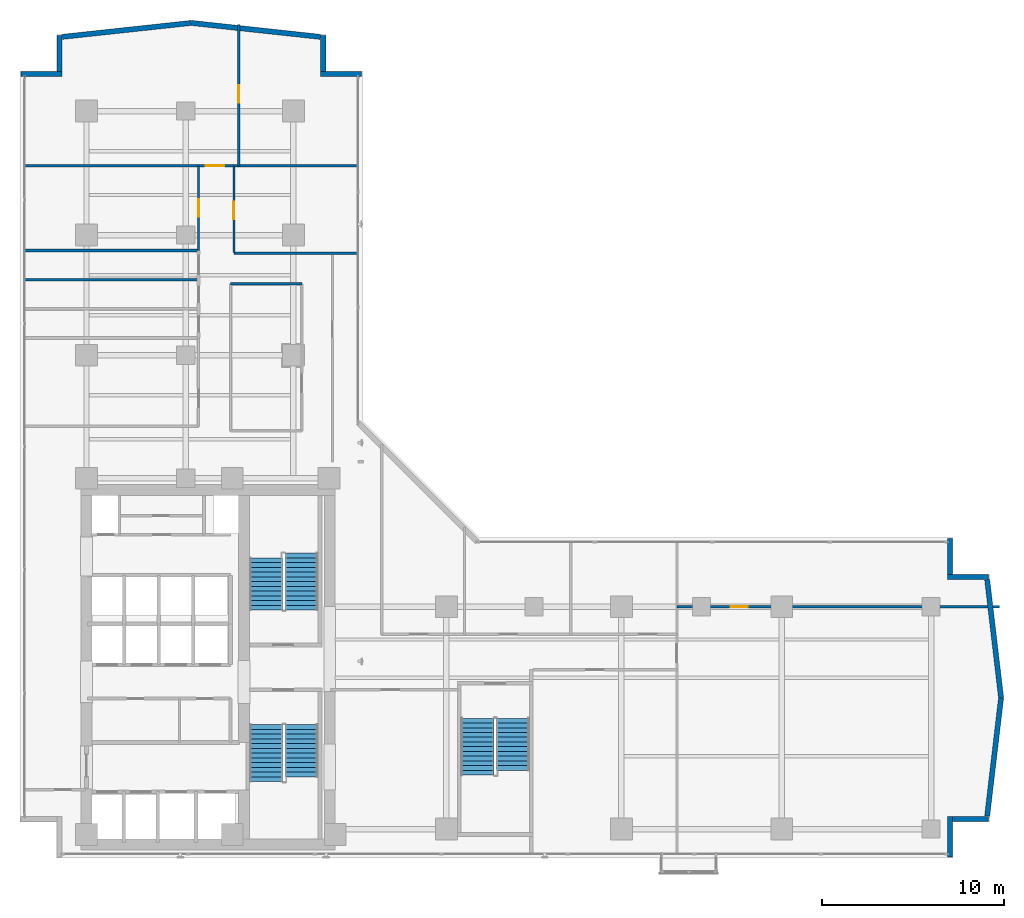
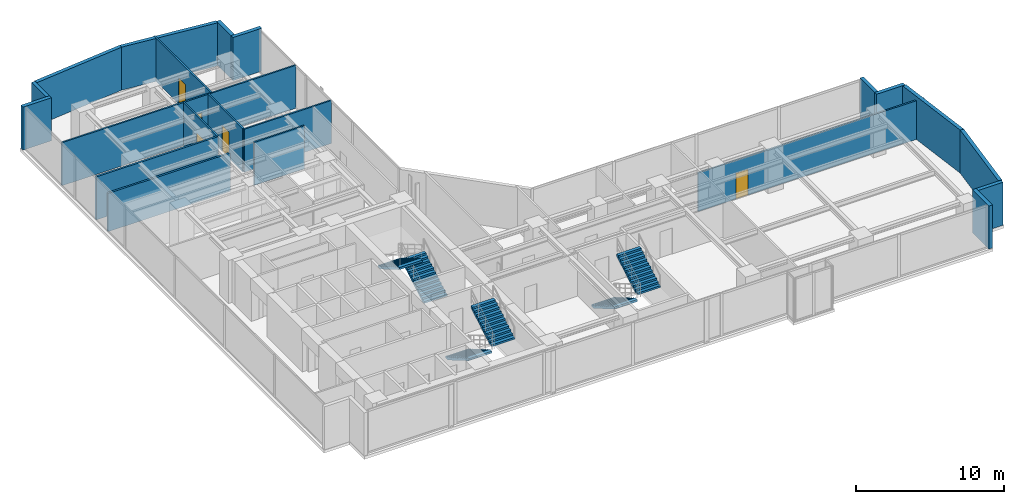
# One storey, part 21 of 26: 21 walls, 6 stair flights, 5 doors, 5 openings, 3 elements without a shape of their own.
"""IFC4 building model written with IfcOpenShell, lengths in metres."""

from ifc_helpers import new_model, si_unit, direction, frame, frame_2d, origin, place, context, subcontext, project, spatial, polyline, rectangle, outline, extrude, material, layer, layer_set, type_object, element, fill, aggregate, save


model = new_model("IFC4")

# Units and contexts
model_context = context("Model", 3, precision=1e-05, world=origin(), true_north=direction((0.0, 1.0)))
body_context = subcontext(model_context, "Body", "Model", "MODEL_VIEW")
ifc_project = project(units=[si_unit("LENGTHUNIT", "METRE"), si_unit("AREAUNIT", "SQUARE_METRE"), si_unit("VOLUMEUNIT", "CUBIC_METRE"), si_unit("PLANEANGLEUNIT", "RADIAN"), si_unit("MASSUNIT", "GRAM", prefix="KILO")], contexts=[model_context])

# Site, building, storey
site_placement = place(None, origin())
site = spatial("IfcSite", under=ifc_project, at=site_placement, CompositionType="ELEMENT")
building_placement = place(site_placement, origin())
building = spatial("IfcBuilding", under=site, at=building_placement, Name="Kolvaren Waterfront Exchange", CompositionType="ELEMENT")
storey_placement = place(building_placement, frame((0.0, 0.0, 150.0)))
storey = spatial("IfcBuildingStorey", under=building, at=storey_placement, Name="L38", CompositionType="ELEMENT", Elevation=150.0)

# Walls
ifc_material_1 = material(Name="Precast concrete C40/50", Category="concrete")
ifc_layer_1 = layer(ifc_material_1, 0.280029296875, Name="Precast concrete C40/50")
ifc_layer_set_1 = layer_set([ifc_layer_1], Name="Precast concrete C40/50")
wall_type_1 = type_object("IfcWallType", Name="ARC-EXT-TERR-280", PredefinedType="SOLIDWALL", material=ifc_layer_set_1)
wall_1_placement = place(storey_placement, frame((54.840087890625, 3.659912109375, 0.0), z_axis=(0.0, 0.0, 1.0), x_axis=(0.0, 1.0, 0.0)))
element("IfcWall", 1, at=wall_1_placement, inside=storey, type_object=wall_type_1, Name="L38 notched corner spandrel pier SE-A", PredefinedType="SOLIDWALL", context=body_context, shape_type="SweptSolid", body=[
    extrude(rectangle(XDim=2.239990234375, YDim=0.280029296875, at=frame_2d((1.1201171875, 0.0))), origin(), (0.0, 0.0, 1.0), 3.56005859375),
])
wall_2_placement = place(storey_placement, frame((54.97998046875, 5.760009765625, 0.0), z_axis=(0.0, 0.0, 1.0), x_axis=(1.0, 0.0, 0.0)))
element("IfcWall", 2, at=wall_2_placement, inside=storey, type_object=wall_type_1, Name="L38 notched corner spandrel pier SE-B", PredefinedType="SOLIDWALL", context=body_context, shape_type="SweptSolid", body=[
    extrude(rectangle(XDim=1.9599609375, YDim=0.280029296875, at=frame_2d((0.97998046875, 0.0))), origin(), (0.0, 0.0, 1.0), 3.56005859375),
])
wall_3_placement = place(storey_placement, frame((54.840087890625, 19.1650390625, 0.0), z_axis=(0.0, 0.0, 1.0), x_axis=(0.0, 1.0, 0.0)))
element("IfcWall", 3, at=wall_3_placement, inside=storey, type_object=wall_type_1, Name="L38 notched corner spandrel pier ENE-A", PredefinedType="SOLIDWALL", context=body_context, shape_type="SweptSolid", body=[
    extrude(rectangle(XDim=1.974853515625, YDim=0.280029296875, at=frame_2d((0.9873046875, 0.0))), origin(), (0.0, 0.0, 1.0), 3.56005859375),
])
for number, where, z_axis, x_axis, name in (
    (4, (54.699951171875, 19.0400390625, 0.0), (0.0, 0.0, 1.0), (1.0, 0.0, 0.0), "L38 notched corner spandrel pier ENE-B"),
    (5, (20.300048828125, 46.639892578125, 0.0), (0.0, 0.0, 1.0), (1.0, 0.0, 0.0), "L38 notched corner spandrel pier NNE-A"),
):
    element("IfcWall", number, at=place(storey_placement, frame(where, z_axis=z_axis, x_axis=x_axis)), inside=storey, type_object=wall_type_1, Name=name, PredefinedType="SOLIDWALL", context=body_context, shape_type="SweptSolid", body=[
        extrude(rectangle(XDim=2.239990234375, YDim=0.280029296875, at=frame_2d((1.1201171875, 0.0))), origin(), (0.0, 0.0, 1.0), 3.56005859375),
    ])
wall_4_placement = place(storey_placement, frame((20.43994140625, 46.780029296875, 0.0), z_axis=(0.0, 0.0, 1.0), x_axis=(0.0, 1.0, 0.0)))
element("IfcWall", 6, at=wall_4_placement, inside=storey, type_object=wall_type_1, Name="L38 notched corner spandrel pier NNE-B", PredefinedType="SOLIDWALL", context=body_context, shape_type="SweptSolid", body=[
    extrude(rectangle(XDim=1.9599609375, YDim=0.280029296875, at=frame_2d((0.97998046875, 0.0))), origin(), (0.0, 0.0, 1.0), 3.56005859375),
])
wall_5_placement = place(storey_placement, frame((3.860107421875, 46.639892578125, 0.0), z_axis=(0.0, 0.0, 1.0), x_axis=(1.0, 0.0, 0.0)))
element("IfcWall", 7, at=wall_5_placement, inside=storey, type_object=wall_type_1, Name="L38 notched corner spandrel pier NW-A", PredefinedType="SOLIDWALL", context=body_context, shape_type="SweptSolid", body=[
    extrude(rectangle(XDim=2.239990234375, YDim=0.280029296875, at=frame_2d((1.1201171875, 0.0))), origin(), (0.0, 0.0, 1.0), 3.56005859375),
])
wall_6_placement = place(storey_placement, frame((5.9599609375, 46.780029296875, 0.0), z_axis=(0.0, 0.0, 1.0), x_axis=(0.0, 1.0, 0.0)))
element("IfcWall", 8, at=wall_6_placement, inside=storey, type_object=wall_type_1, Name="L38 notched corner spandrel pier NW-B", PredefinedType="SOLIDWALL", context=body_context, shape_type="SweptSolid", body=[
    extrude(rectangle(XDim=1.9599609375, YDim=0.280029296875, at=frame_2d((0.97998046875, 0.0))), origin(), (0.0, 0.0, 1.0), 3.56005859375),
])
for number, where, z_axis, x_axis, name in (
    (9, (56.876220703125, 5.91650390625, 0.0), (0.0, 0.0, 1.0), (0.11685426921, 0.993149072278, 0.0), "L38 east prow faceted facade wall 1"),
    (10, (57.638916015625, 12.401123046875, 0.0), (0.0, 0.0, 1.0), (-0.11685426921, 0.993149072278, 0.0), "L38 east prow faceted facade wall 2"),
):
    element("IfcWall", number, at=place(storey_placement, frame(where, z_axis=z_axis, x_axis=x_axis)), inside=storey, type_object=wall_type_1, Name=name, PredefinedType="SOLIDWALL", context=body_context, shape_type="SweptSolid", body=[
        extrude(rectangle(XDim=6.52685546875, YDim=0.280029296875, at=frame_2d((3.263427734375, 0.0))), origin(), (0.0, 0.0, 1.0), 3.56005859375),
    ])
for number, where, z_axis, x_axis, name in (
    (11, (20.284423828125, 48.673095703125, 0.0), (0.0, 0.0, 1.0), (-0.994206651606, 0.107485505548, 0.0), "L38 north prow faceted facade wall 1"),
    (12, (13.197265625, 49.438720703125, 0.0), (0.0, 0.0, 1.0), (-0.994206651606, -0.107485505548, 0.0), "L38 north prow faceted facade wall 2"),
):
    element("IfcWall", number, at=place(storey_placement, frame(where, z_axis=z_axis, x_axis=x_axis)), inside=storey, type_object=wall_type_1, Name=name, PredefinedType="SOLIDWALL", context=body_context, shape_type="SweptSolid", body=[
        extrude(rectangle(XDim=7.123046875, YDim=0.280029296875, at=frame_2d((3.5615234375, 0.0))), origin(), (0.0, 0.0, 1.0), 3.56005859375),
    ])
ifc_material_2 = material(Name="Acoustic gypsum steel stud", Category="steel")
ifc_layer_2 = layer(ifc_material_2, 0.125, Name="Acoustic gypsum steel stud")
ifc_layer_set_2 = layer_set([ifc_layer_2], Name="Acoustic gypsum steel stud")
wall_type_2 = type_object("IfcWallType", Name="ARC-PART-125", PredefinedType="PARTITIONING", material=ifc_layer_set_2)
wall_7_placement = place(storey_placement, frame((15.35009765625, 35.1201171875, 0.0), z_axis=(0.0, 0.0, 1.0), x_axis=(1.0, 0.0, 0.0)))
element("IfcWall", 13, at=wall_7_placement, inside=storey, type_object=wall_type_2, Name="L38 interior wall PW-L38-ISL-N", PredefinedType="PARTITIONING", context=body_context, shape_type="SweptSolid", body=[
    extrude(rectangle(XDim=3.919921875, YDim=0.125, at=frame_2d((1.9599609375, 0.0))), origin(), (0.0, 0.0, 1.0), 3.56005859375),
])
wall_8_placement = place(storey_placement, frame((15.5400390625, 36.800048828125, 0.0), z_axis=(0.0, 0.0, 1.0), x_axis=(1.0, 0.0, 0.0)))
element("IfcWall", 14, at=wall_8_placement, inside=storey, type_object=wall_type_2, Name="L38 interior wall PW-L38-RFLANK-N", PredefinedType="PARTITIONING", context=body_context, shape_type="SweptSolid", body=[
    extrude(rectangle(XDim=6.820068359375, YDim=0.125, at=frame_2d((3.41015625, 0.0))), origin(), (0.0, 0.0, 1.0), 3.56005859375),
])

# Wall, opening, door
wall_9_placement = place(storey_placement, frame((39.85009765625, 17.39990234375, 0.0), z_axis=(0.0, 0.0, 1.0), x_axis=(1.0, 0.0, 0.0)))
wall_9 = element("IfcWall", 15, at=wall_9_placement, inside=storey, type_object=wall_type_2, Name="L38 interior wall PW-L38-ETIP-MID", PredefinedType="PARTITIONING", context=body_context, shape_type="SweptSolid", body=[
    extrude(rectangle(XDim=17.7099609375, YDim=0.125, at=frame_2d((8.85498046875, 0.0))), origin(), (0.0, 0.0, 1.0), 3.199951171875),
])
opening_1_placement = place(wall_9_placement, frame((2.949951171875, 0.0, 0.0)))
opening_1 = element("IfcOpeningElement", 16, at=opening_1_placement, cuts=wall_9, Name="Opening D02", PredefinedType="OPENING", context=body_context, shape_type="SweptSolid", body=[
    extrude(rectangle(XDim=0.949951171875, YDim=2.14990234375, at=frame_2d((0.47509765625, 1.074951171875))), frame((0.0, 0.072509765625, 0.0), z_axis=(0.0, -1.0, 0.0), x_axis=(1.0, 0.0, 0.0)), (0.0, 0.0, 1.0), 0.14501953125),
])
ifc_material_3 = material(Name="Oak veneer acoustic timber", Category="wood")
door_type_1 = type_object("IfcDoorType", Name="ARC-DR-950", OperationType="NOTDEFINED", PredefinedType="DOOR", material=ifc_material_3)
door_1_placement = place(opening_1_placement, origin())
door_1 = element("IfcDoor", 17, at=door_1_placement, inside=storey, type_object=door_type_1, Name="L38 door DR-L38-ETIP2-D (D02)", OperationType="SINGLE_SWING_LEFT", OverallHeight=2.14990234375, OverallWidth=0.949951171875, PredefinedType="DOOR", context=body_context, shape_type="SweptSolid", body=[
    extrude(rectangle(XDim=0.949951171875, YDim=2.14990234375, at=frame_2d((0.47509765625, 1.074951171875))), frame((0.0, 0.02490234375, 0.0), z_axis=(0.0, -1.0, 0.0), x_axis=(1.0, 0.0, 0.0)), (0.0, 0.0, 1.0), 0.050048828125),
])
fill(opening_1, door_1)

wall_10_placement = place(storey_placement, frame((13.60009765625, 36.949951171875, 0.0), z_axis=(0.0, 0.0, 1.0), x_axis=(0.0, 1.0, 0.0)))
wall_10 = element("IfcWall", 18, at=wall_10_placement, inside=storey, type_object=wall_type_2, Name="L38 interior wall PW-L38-NW-CORR", PredefinedType="PARTITIONING", context=body_context, shape_type="SweptSolid", body=[
    extrude(rectangle(XDim=4.650146484375, YDim=0.125, at=frame_2d((2.3251953125, 0.0))), origin(), (0.0, 0.0, 1.0), 3.56005859375),
])
opening_2_placement = place(wall_10_placement, frame((1.85009765625, 0.0, 0.0)))
opening_2 = element("IfcOpeningElement", 19, at=opening_2_placement, cuts=wall_10, Name="Opening D02", PredefinedType="OPENING", context=body_context, shape_type="SweptSolid", body=[
    extrude(rectangle(XDim=0.949951171875, YDim=2.14990234375, at=frame_2d((0.47509765625, 1.074951171875))), frame((0.0, 0.072509765625, 0.0), z_axis=(0.0, -1.0, 0.0), x_axis=(1.0, 0.0, 0.0)), (0.0, 0.0, 1.0), 0.14501953125),
])
door_2_placement = place(opening_2_placement, origin())
door_2 = element("IfcDoor", 20, at=door_2_placement, inside=storey, type_object=door_type_1, Name="L38 door DR-L38-NW-D-1 (D02)", OperationType="SINGLE_SWING_LEFT", OverallHeight=2.14990234375, OverallWidth=0.949951171875, PredefinedType="DOOR", context=body_context, shape_type="SweptSolid", body=[
    extrude(rectangle(XDim=0.949951171875, YDim=2.14990234375, at=frame_2d((0.47509765625, 1.074951171875))), frame((0.0, 0.02490234375, 0.0), z_axis=(0.0, -1.0, 0.0), x_axis=(1.0, 0.0, 0.0)), (0.0, 0.0, 1.0), 0.050048828125),
])
fill(opening_2, door_2)

wall_11_placement = place(storey_placement, frame((4.0400390625, 41.60009765625, 0.0), z_axis=(0.0, 0.0, 1.0), x_axis=(1.0, 0.0, 0.0)))
wall_11 = element("IfcWall", 21, at=wall_11_placement, inside=storey, type_object=wall_type_2, Name="L38 interior wall PW-L38-NTIP-S", PredefinedType="PARTITIONING", context=body_context, shape_type="SweptSolid", body=[
    extrude(rectangle(XDim=18.320068359375, YDim=0.125, at=frame_2d((9.16015625, 0.0))), origin(), (0.0, 0.0, 1.0), 3.56005859375),
])
opening_3_placement = place(wall_11_placement, frame((9.9599609375, 0.0, 0.0)))
opening_3 = element("IfcOpeningElement", 22, at=opening_3_placement, cuts=wall_11, Name="Opening D03", PredefinedType="OPENING", context=body_context, shape_type="SweptSolid", body=[
    extrude(rectangle(XDim=1.0, YDim=2.199951171875, at=frame_2d((0.5, 1.10009765625))), frame((0.0, 0.072509765625, 0.0), z_axis=(0.0, -1.0, 0.0), x_axis=(1.0, 0.0, 0.0)), (0.0, 0.0, 1.0), 0.14501953125),
])
ifc_material_4 = material(Name="Oak veneer accessible timber", Category="wood")
door_type_2 = type_object("IfcDoorType", Name="ARC-DR-1000", OperationType="NOTDEFINED", PredefinedType="DOOR", material=ifc_material_4)
door_3_placement = place(opening_3_placement, origin())
door_3 = element("IfcDoor", 23, at=door_3_placement, inside=storey, type_object=door_type_2, Name="L38 door DR-L38-NTIPW-D (D03)", OperationType="SINGLE_SWING_RIGHT", OverallHeight=2.199951171875, OverallWidth=1.0, PredefinedType="DOOR", context=body_context, shape_type="SweptSolid", body=[
    extrude(rectangle(XDim=1.0, YDim=2.199951171875, at=frame_2d((0.5, 1.10009765625))), frame((0.0, 0.02490234375, 0.0), z_axis=(0.0, -1.0, 0.0), x_axis=(1.0, 0.0, 0.0)), (0.0, 0.0, 1.0), 0.050048828125),
])
fill(opening_3, door_3)

wall_12_placement = place(storey_placement, frame((15.800048828125, 41.60009765625, 0.0), z_axis=(0.0, 0.0, 1.0), x_axis=(0.0, 1.0, 0.0)))
wall_12 = element("IfcWall", 24, at=wall_12_placement, inside=storey, type_object=wall_type_2, Name="L38 interior wall PW-L38-NTIP-DIV", PredefinedType="PARTITIONING", context=body_context, shape_type="SweptSolid", body=[
    extrude(rectangle(XDim=7.760009765625, YDim=0.125, at=frame_2d((3.8798828125, 0.0))), origin(), (0.0, 0.0, 1.0), 3.56005859375),
])
opening_4_placement = place(wall_12_placement, frame((3.470458984375, 0.0, 0.0)))
opening_4 = element("IfcOpeningElement", 25, at=opening_4_placement, cuts=wall_12, Name="Opening D02", PredefinedType="OPENING", context=body_context, shape_type="SweptSolid", body=[
    extrude(rectangle(XDim=0.949951171875, YDim=2.14990234375, at=frame_2d((0.47509765625, 1.074951171875))), frame((0.0, 0.072509765625, 0.0), z_axis=(0.0, -1.0, 0.0), x_axis=(1.0, 0.0, 0.0)), (0.0, 0.0, 1.0), 0.14501953125),
])
door_4_placement = place(opening_4_placement, origin())
door_4 = element("IfcDoor", 26, at=door_4_placement, inside=storey, type_object=door_type_1, Name="L38 door DR-L38-NTIPE-D (D02)", OperationType="SINGLE_SWING_LEFT", OverallHeight=2.14990234375, OverallWidth=0.949951171875, PredefinedType="DOOR", context=body_context, shape_type="SweptSolid", body=[
    extrude(rectangle(XDim=0.949951171875, YDim=2.14990234375, at=frame_2d((0.47509765625, 1.074951171875))), frame((0.0, 0.02490234375, 0.0), z_axis=(0.0, -1.0, 0.0), x_axis=(1.0, 0.0, 0.0)), (0.0, 0.0, 1.0), 0.050048828125),
])
fill(opening_4, door_4)

wall_13_placement = place(storey_placement, frame((15.5400390625, 36.85009765625, 0.0), z_axis=(0.0, 0.0, 1.0), x_axis=(0.0, 1.0, 0.0)))
wall_13 = element("IfcWall", 27, at=wall_13_placement, inside=storey, type_object=wall_type_2, Name="L38 interior wall PW-L38-NE-CORR", PredefinedType="PARTITIONING", context=body_context, shape_type="SweptSolid", body=[
    extrude(rectangle(XDim=4.75, YDim=0.125, at=frame_2d((2.375, 0.0))), origin(), (0.0, 0.0, 1.0), 3.56005859375),
])
opening_5_placement = place(wall_13_placement, frame((1.82861328125, 0.0, 0.0)))
opening_5 = element("IfcOpeningElement", 28, at=opening_5_placement, cuts=wall_13, Name="Opening D02", PredefinedType="OPENING", context=body_context, shape_type="SweptSolid", body=[
    extrude(rectangle(XDim=0.949951171875, YDim=2.14990234375, at=frame_2d((0.47509765625, 1.074951171875))), frame((0.0, 0.072509765625, 0.0), z_axis=(0.0, -1.0, 0.0), x_axis=(1.0, 0.0, 0.0)), (0.0, 0.0, 1.0), 0.14501953125),
])
door_5_placement = place(opening_5_placement, origin())
door_5 = element("IfcDoor", 29, at=door_5_placement, inside=storey, type_object=door_type_1, Name="L38 door DR-L38-NE-D-1 (D02)", OperationType="SINGLE_SWING_RIGHT", OverallHeight=2.14990234375, OverallWidth=0.949951171875, PredefinedType="DOOR", context=body_context, shape_type="SweptSolid", body=[
    extrude(rectangle(XDim=0.949951171875, YDim=2.14990234375, at=frame_2d((0.47509765625, 1.074951171875))), frame((0.0, 0.02490234375, 0.0), z_axis=(0.0, -1.0, 0.0), x_axis=(1.0, 0.0, 0.0)), (0.0, 0.0, 1.0), 0.050048828125),
])
fill(opening_5, door_5)

# Walls
ifc_material_5 = material(Name="Moisture-resistant gypsum stud")
ifc_layer_3 = layer(ifc_material_5, 0.14990234375, Name="Moisture-resistant gypsum stud")
ifc_layer_set_3 = layer_set([ifc_layer_3], Name="Moisture-resistant gypsum stud")
wall_type_3 = type_object("IfcWallType", Name="ARC-PLUMB-150", PredefinedType="PLUMBINGWALL", material=ifc_layer_set_3)
wall_14_placement = place(storey_placement, frame((4.0400390625, 35.35009765625, 0.0), z_axis=(0.0, 0.0, 1.0), x_axis=(1.0, 0.0, 0.0)))
element("IfcWall", 30, at=wall_14_placement, inside=storey, type_object=wall_type_3, Name="L38 interior wall PW-L38-WC-2", PredefinedType="PLUMBINGWALL", context=body_context, shape_type="SweptSolid", body=[
    extrude(rectangle(XDim=9.56005859375, YDim=0.14990234375, at=frame_2d((4.780029296875, 0.0))), origin(), (0.0, 0.0, 1.0), 3.159912109375),
])
wall_15_placement = place(storey_placement, frame((4.0400390625, 36.949951171875, 0.0), z_axis=(0.0, 0.0, 1.0), x_axis=(1.0, 0.0, 0.0)))
element("IfcWall", 31, at=wall_15_placement, inside=storey, type_object=wall_type_3, Name="L38 interior wall PW-L38-WC-3", PredefinedType="PLUMBINGWALL", context=body_context, shape_type="SweptSolid", body=[
    extrude(rectangle(XDim=9.56005859375, YDim=0.14990234375, at=frame_2d((4.780029296875, 0.0))), origin(), (0.0, 0.0, 1.0), 3.56005859375),
])

# Stair, stair flights
ifc_material_6 = material(Name="Concrete C40/50", Category="concrete")
stair_type = type_object("IfcStairType", Name="ARC-STAIR-3800", PredefinedType="HALF_TURN_STAIR", material=ifc_material_6)
stair_1_placement = place(storey_placement, origin())
stair_1 = element("IfcStair", 32, at=stair_1_placement, inside=storey, type_object=stair_type, Name="L38 Smoke-proof exit stair ST1", PredefinedType="HALF_TURN_STAIR")
stair_flight_type = type_object("IfcStairFlightType", Name="ARC-FLIGHT-3800", PredefinedType="STRAIGHT", material=ifc_material_6)
stair_flight_1_placement = place(storey_placement, frame((17.300048828125, 10.929931640625, 0.0), z_axis=(0.0, 0.0, 1.0), x_axis=(0.0, -1.0, 0.0)))
stair_flight_1 = element("IfcStairFlight", 33, at=stair_flight_1_placement, type_object=stair_flight_type, Name="ST1 flight 1", NumberOfRisers=13, NumberOfTreads=12, PredefinedType="STRAIGHT", RiserHeight=0.152, TreadLength=0.26, context=body_context, shape_type="SweptSolid", body=[
    extrude(outline(polyline([(0.0, 0.0), (0.0, 0.152099609375), (0.260009765625, 0.152099609375), (0.260009765625, 0.303955078125), (0.52001953125, 0.303955078125), (0.52001953125, 0.4560546875), (0.780029296875, 0.4560546875), (0.780029296875, 0.60791015625), (1.0400390625, 0.60791015625), (1.0400390625, 0.760009765625), (1.300048828125, 0.760009765625), (1.300048828125, 0.912109375), (1.56005859375, 0.912109375), (1.56005859375, 1.06396484375), (1.820068359375, 1.06396484375), (1.820068359375, 1.216064453125), (2.080078125, 1.216064453125), (2.080078125, 1.367919921875), (2.340087890625, 1.367919921875), (2.340087890625, 1.52001953125), (2.60009765625, 1.52001953125), (2.60009765625, 1.672119140625), (2.860107421875, 1.672119140625), (2.860107421875, 1.823974609375), (3.1201171875, 1.823974609375), (3.1201171875, 1.97607421875), (3.1201171875, 1.650390625), (0.297119140625, 0.0), (0.0, 0.0)])), frame((0.0, 0.89990234375, 0.0), z_axis=(0.0, -1.0, 0.0), x_axis=(1.0, 0.0, 0.0)), (0.0, 0.0, 1.0), 1.800048828125),
])
stair_flight_2_placement = place(storey_placement, frame((19.260009765625, 8.070068359375, 1.97607421875), z_axis=(0.0, 0.0, 1.0), x_axis=(0.0, 1.0, 0.0)))
stair_flight_2 = element("IfcStairFlight", 34, at=stair_flight_2_placement, type_object=stair_flight_type, Name="ST1 flight 2", NumberOfRisers=12, NumberOfTreads=11, PredefinedType="STRAIGHT", RiserHeight=0.152, TreadLength=0.26, context=body_context, shape_type="SweptSolid", body=[
    extrude(outline(polyline([(0.0, 0.0), (0.0, 0.152099609375), (0.260009765625, 0.152099609375), (0.260009765625, 0.303955078125), (0.52001953125, 0.303955078125), (0.52001953125, 0.4560546875), (0.780029296875, 0.4560546875), (0.780029296875, 0.60791015625), (1.0400390625, 0.60791015625), (1.0400390625, 0.760009765625), (1.300048828125, 0.760009765625), (1.300048828125, 0.912109375), (1.56005859375, 0.912109375), (1.56005859375, 1.06396484375), (1.820068359375, 1.06396484375), (1.820068359375, 1.216064453125), (2.080078125, 1.216064453125), (2.080078125, 1.367919921875), (2.340087890625, 1.367919921875), (2.340087890625, 1.52001953125), (2.60009765625, 1.52001953125), (2.60009765625, 1.672119140625), (2.860107421875, 1.672119140625), (2.860107421875, 1.823974609375), (2.860107421875, 1.498291015625), (0.297119140625, 0.0), (0.0, 0.0)])), frame((0.0, 0.89990234375, 0.0), z_axis=(0.0, -1.0, 0.0), x_axis=(1.0, 0.0, 0.0)), (0.0, 0.0, 1.0), 1.800048828125),
])
aggregate(stair_1, [stair_flight_1, stair_flight_2])

stair_2_placement = place(storey_placement, origin())
stair_2 = element("IfcStair", 35, at=stair_2_placement, inside=storey, type_object=stair_type, Name="L38 Smoke-proof exit stair ST2", PredefinedType="HALF_TURN_STAIR")
stair_flight_3_placement = place(storey_placement, frame((19.260009765625, 17.219970703125, 0.0), z_axis=(0.0, 0.0, 1.0), x_axis=(0.0, 1.0, 0.0)))
stair_flight_3 = element("IfcStairFlight", 36, at=stair_flight_3_placement, type_object=stair_flight_type, Name="ST2 flight 1", NumberOfRisers=13, NumberOfTreads=12, PredefinedType="STRAIGHT", RiserHeight=0.152, TreadLength=0.26, context=body_context, shape_type="SweptSolid", body=[
    extrude(outline(polyline([(0.0, 0.0), (0.0, 0.152099609375), (0.260009765625, 0.152099609375), (0.260009765625, 0.303955078125), (0.52001953125, 0.303955078125), (0.52001953125, 0.4560546875), (0.780029296875, 0.4560546875), (0.780029296875, 0.60791015625), (1.0400390625, 0.60791015625), (1.0400390625, 0.760009765625), (1.300048828125, 0.760009765625), (1.300048828125, 0.912109375), (1.56005859375, 0.912109375), (1.56005859375, 1.06396484375), (1.820068359375, 1.06396484375), (1.820068359375, 1.216064453125), (2.080078125, 1.216064453125), (2.080078125, 1.367919921875), (2.340087890625, 1.367919921875), (2.340087890625, 1.52001953125), (2.60009765625, 1.52001953125), (2.60009765625, 1.672119140625), (2.860107421875, 1.672119140625), (2.860107421875, 1.823974609375), (3.1201171875, 1.823974609375), (3.1201171875, 1.97607421875), (3.1201171875, 1.650390625), (0.297119140625, 0.0), (0.0, 0.0)])), frame((0.0, 0.89990234375, 0.0), z_axis=(0.0, -1.0, 0.0), x_axis=(1.0, 0.0, 0.0)), (0.0, 0.0, 1.0), 1.800048828125),
])
stair_flight_4_placement = place(storey_placement, frame((17.300048828125, 20.080078125, 1.97607421875), z_axis=(0.0, 0.0, 1.0), x_axis=(0.0, -1.0, 0.0)))
stair_flight_4 = element("IfcStairFlight", 37, at=stair_flight_4_placement, type_object=stair_flight_type, Name="ST2 flight 2", NumberOfRisers=12, NumberOfTreads=11, PredefinedType="STRAIGHT", RiserHeight=0.152, TreadLength=0.26, context=body_context, shape_type="SweptSolid", body=[
    extrude(outline(polyline([(0.0, 0.0), (0.0, 0.152099609375), (0.260009765625, 0.152099609375), (0.260009765625, 0.303955078125), (0.52001953125, 0.303955078125), (0.52001953125, 0.4560546875), (0.780029296875, 0.4560546875), (0.780029296875, 0.60791015625), (1.0400390625, 0.60791015625), (1.0400390625, 0.760009765625), (1.300048828125, 0.760009765625), (1.300048828125, 0.912109375), (1.56005859375, 0.912109375), (1.56005859375, 1.06396484375), (1.820068359375, 1.06396484375), (1.820068359375, 1.216064453125), (2.080078125, 1.216064453125), (2.080078125, 1.367919921875), (2.340087890625, 1.367919921875), (2.340087890625, 1.52001953125), (2.60009765625, 1.52001953125), (2.60009765625, 1.672119140625), (2.860107421875, 1.672119140625), (2.860107421875, 1.823974609375), (2.860107421875, 1.498291015625), (0.297119140625, 0.0), (0.0, 0.0)])), frame((0.0, 0.89990234375, 0.0), z_axis=(0.0, -1.0, 0.0), x_axis=(1.0, 0.0, 0.0)), (0.0, 0.0, 1.0), 1.800048828125),
])
aggregate(stair_2, [stair_flight_3, stair_flight_4])

stair_3_placement = place(storey_placement, origin())
stair_3 = element("IfcStair", 38, at=stair_3_placement, inside=storey, type_object=stair_type, Name="L38 Exit stair ST3", PredefinedType="HALF_TURN_STAIR")
stair_flight_5_placement = place(storey_placement, frame((28.89990234375, 11.280029296875, 0.0), z_axis=(0.0, 0.0, 1.0), x_axis=(0.0, -1.0, 0.0)))
stair_flight_5 = element("IfcStairFlight", 39, at=stair_flight_5_placement, type_object=stair_flight_type, Name="ST3 flight 1", NumberOfRisers=13, NumberOfTreads=12, PredefinedType="STRAIGHT", RiserHeight=0.152, TreadLength=0.26, context=body_context, shape_type="SweptSolid", body=[
    extrude(outline(polyline([(0.0, 0.0), (0.0, 0.152099609375), (0.260009765625, 0.152099609375), (0.260009765625, 0.303955078125), (0.52001953125, 0.303955078125), (0.52001953125, 0.4560546875), (0.780029296875, 0.4560546875), (0.780029296875, 0.60791015625), (1.0400390625, 0.60791015625), (1.0400390625, 0.760009765625), (1.300048828125, 0.760009765625), (1.300048828125, 0.912109375), (1.56005859375, 0.912109375), (1.56005859375, 1.06396484375), (1.820068359375, 1.06396484375), (1.820068359375, 1.216064453125), (2.080078125, 1.216064453125), (2.080078125, 1.367919921875), (2.340087890625, 1.367919921875), (2.340087890625, 1.52001953125), (2.60009765625, 1.52001953125), (2.60009765625, 1.672119140625), (2.860107421875, 1.672119140625), (2.860107421875, 1.823974609375), (3.1201171875, 1.823974609375), (3.1201171875, 1.97607421875), (3.1201171875, 1.650390625), (0.297119140625, 0.0), (0.0, 0.0)])), frame((0.0, 0.89990234375, 0.0), z_axis=(0.0, -1.0, 0.0), x_axis=(1.0, 0.0, 0.0)), (0.0, 0.0, 1.0), 1.800048828125),
])
stair_flight_6_placement = place(storey_placement, frame((30.860107421875, 8.419921875, 1.97607421875), z_axis=(0.0, 0.0, 1.0), x_axis=(0.0, 1.0, 0.0)))
stair_flight_6 = element("IfcStairFlight", 40, at=stair_flight_6_placement, type_object=stair_flight_type, Name="ST3 flight 2", NumberOfRisers=12, NumberOfTreads=11, PredefinedType="STRAIGHT", RiserHeight=0.152, TreadLength=0.26, context=body_context, shape_type="SweptSolid", body=[
    extrude(outline(polyline([(0.0, 0.0), (0.0, 0.152099609375), (0.260009765625, 0.152099609375), (0.260009765625, 0.303955078125), (0.52001953125, 0.303955078125), (0.52001953125, 0.4560546875), (0.780029296875, 0.4560546875), (0.780029296875, 0.60791015625), (1.0400390625, 0.60791015625), (1.0400390625, 0.760009765625), (1.300048828125, 0.760009765625), (1.300048828125, 0.912109375), (1.56005859375, 0.912109375), (1.56005859375, 1.06396484375), (1.820068359375, 1.06396484375), (1.820068359375, 1.216064453125), (2.080078125, 1.216064453125), (2.080078125, 1.367919921875), (2.340087890625, 1.367919921875), (2.340087890625, 1.52001953125), (2.60009765625, 1.52001953125), (2.60009765625, 1.672119140625), (2.860107421875, 1.672119140625), (2.860107421875, 1.823974609375), (2.860107421875, 1.498291015625), (0.297119140625, 0.0), (0.0, 0.0)])), frame((0.0, 0.89990234375, 0.0), z_axis=(0.0, -1.0, 0.0), x_axis=(1.0, 0.0, 0.0)), (0.0, 0.0, 1.0), 1.800048828125),
])
aggregate(stair_3, [stair_flight_5, stair_flight_6])

save(model, "model.ifc")
